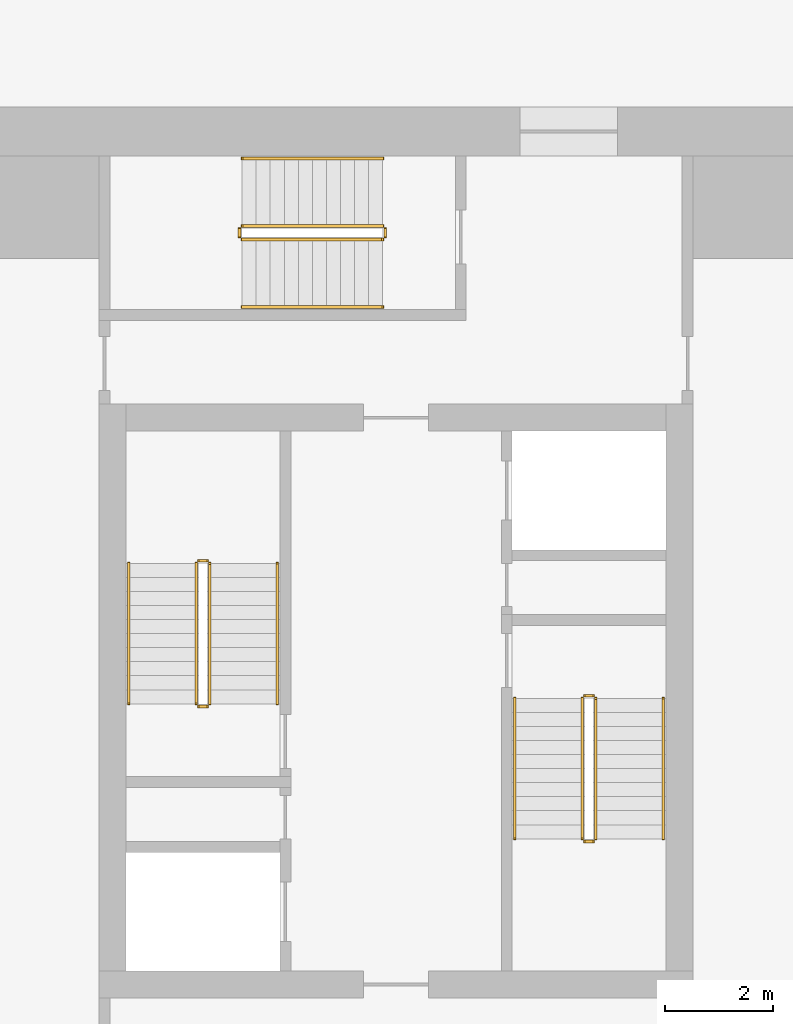
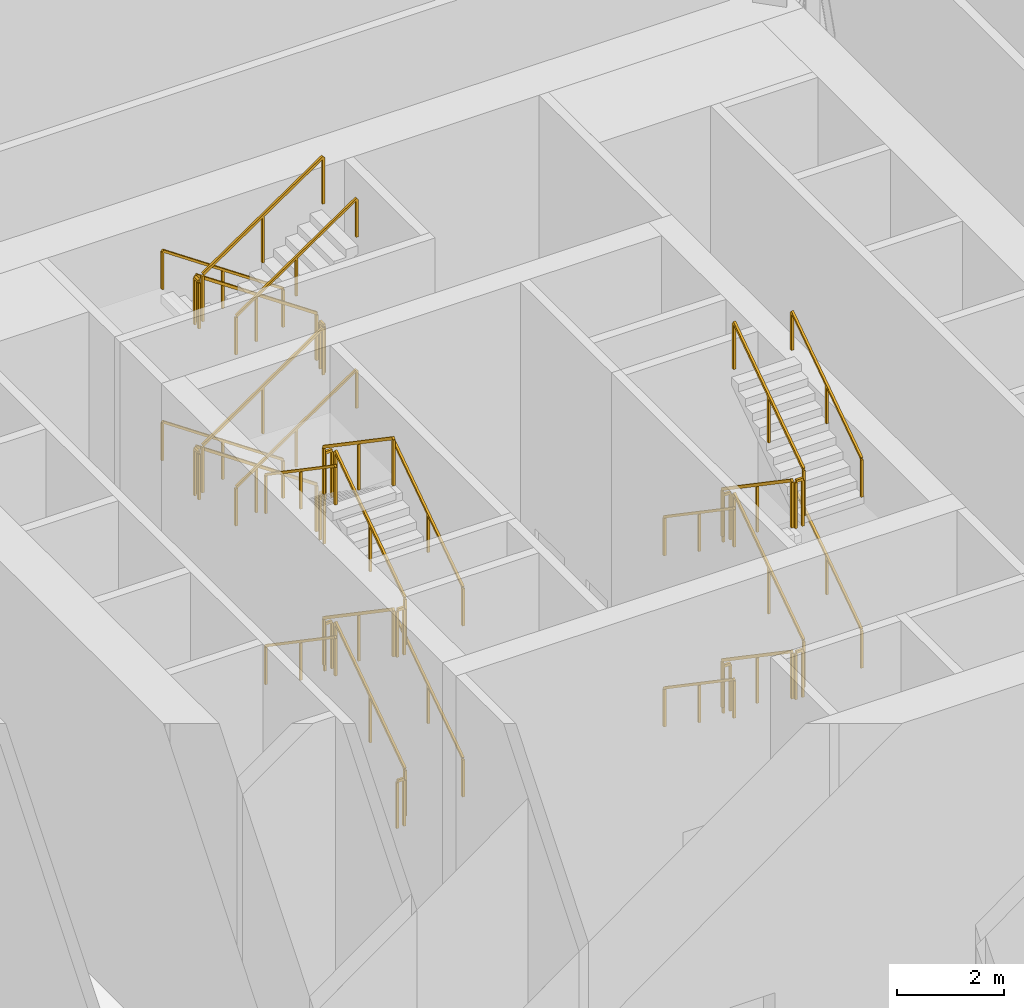
# One storey, part 20 of 21: 36 railings.
"""IFC4 building model written with IfcOpenShell, lengths in metres."""

import ifcopenshell
import ifcopenshell.guid

model = None  # the IFC model being written
_history = None  # IfcOwnerHistory: only IFC2X3 demands one
_inside = {}  # id of a spatial element -> (the spatial element, [elements in it])
_under = {}  # id of a project, library or spatial element -> (it, [spatial elements below it])
_declared = {}  # id of a project -> (the project, [libraries it declares])
_typed = {}  # id of a type object -> (the type object, [elements of that type])
_made_of = {}  # id of a material, layer set ... -> (it, [elements and type objects made of it])


def new_model(schema):
    """Start an empty IFC model of exactly this schema.

    Asked for "IFC4X3", IfcOpenShell would pick the latest addendum, in which some entities
    have other attributes; the version numbers below select the first issue.
    IFC2X3 requires an IfcOwnerHistory on every rooted entity: one is made here for all.
    """
    global model, _history
    if schema == "IFC4X3":
        model = ifcopenshell.file(schema_version=(4, 3, 0, 0))
    else:
        model = ifcopenshell.file(schema=schema)
    _inside.clear()
    _under.clear()
    _declared.clear()
    _typed.clear()
    _made_of.clear()
    _history = None
    if model.schema == "IFC2X3":
        org = make("IfcOrganization", Name="unknown")
        user = make(
            "IfcPersonAndOrganization",
            ThePerson=make("IfcPerson", FamilyName="unknown"),
            TheOrganization=org,
        )
        app = make(
            "IfcApplication",
            ApplicationDeveloper=org,
            Version="unknown",
            ApplicationFullName="unknown",
            ApplicationIdentifier="unknown",
        )
        _history = make(
            "IfcOwnerHistory",
            OwningUser=user,
            OwningApplication=app,
            ChangeAction="ADDED",
            CreationDate=0,
        )
    return model


def make(cls, **values):
    """One entity of the class cls with the attributes given. An attribute that is None is left unset."""
    return model.create_entity(
        cls, **{name: value for name, value in values.items() if value is not None}
    )


def rooted(cls, **values):
    """An entity with a GlobalId (a new one), such as an element, a storey or a relation."""
    return make(cls, GlobalId=ifcopenshell.guid.new(), OwnerHistory=_history, **values)


def si_unit(unit_type, name, prefix=None):
    """IfcSIUnit, for example si_unit("LENGTHUNIT", "METRE", prefix="MILLI")."""
    return make("IfcSIUnit", UnitType=unit_type, Prefix=prefix, Name=name)


def assignment(units):
    """IfcUnitAssignment: the units of a project."""
    return None if units is None else make("IfcUnitAssignment", Units=units)


def point(xyz):
    """IfcCartesianPoint."""
    return None if xyz is None else make("IfcCartesianPoint", Coordinates=xyz)


def direction(xyz):
    """IfcDirection."""
    return None if xyz is None else make("IfcDirection", DirectionRatios=xyz)


def frame(location, z_axis=None, x_axis=None):
    """IfcAxis2Placement3D, a coordinate frame: its origin and axes. An axis left out is left unset."""
    return make(
        "IfcAxis2Placement3D",
        Location=point(location),
        Axis=direction(z_axis),
        RefDirection=direction(x_axis),
    )


def frame_2d(location, x_axis=None):
    """IfcAxis2Placement2D, a coordinate frame in the plane: its origin and x axis."""
    return make(
        "IfcAxis2Placement2D", Location=point(location), RefDirection=direction(x_axis)
    )


def origin():
    """The frame at (0, 0, 0) with its axes left unset."""
    return frame((0.0, 0.0, 0.0))


def origin_2d():
    """The frame at (0, 0) in the plane with its x axis left unset."""
    return frame_2d((0.0, 0.0))


def place(relative_to, where):
    """IfcLocalPlacement: puts the frame where relative to a parent placement (None: the world)."""
    return make(
        "IfcLocalPlacement", PlacementRelTo=relative_to, RelativePlacement=where
    )


def context(
    kind, dimensions, precision=None, world=None, true_north=None, identifier=None
):
    """IfcGeometricRepresentationContext, for example the 3D "Model" context."""
    return make(
        "IfcGeometricRepresentationContext",
        ContextIdentifier=identifier,
        ContextType=kind,
        CoordinateSpaceDimension=dimensions,
        Precision=precision,
        WorldCoordinateSystem=world,
        TrueNorth=true_north,
    )


def subcontext(parent, identifier, kind, view, scale=None):
    """IfcGeometricRepresentationSubContext, for example "Body" below "Model"."""
    return make(
        "IfcGeometricRepresentationSubContext",
        ContextIdentifier=identifier,
        ContextType=kind,
        ParentContext=parent,
        TargetScale=scale,
        TargetView=view,
    )


def project(units=None, contexts=None):
    """IfcProject with its units and contexts."""
    return rooted(
        "IfcProject",
        Name="project",
        RepresentationContexts=contexts,
        UnitsInContext=assignment(units),
    )


def spatial(cls, under=None, at=None, **own):
    """A site, building, storey or space (cls), placed at a placement, below another one or the project."""
    s = rooted(cls, ObjectPlacement=at, **own)
    if under is not None:
        _under.setdefault(under.id(), (under, []))[1].append(s)
    return s


def profile(cls, at=None, kind="AREA", **sizes):
    """A parametric profile (cls). Its sizes go by their IFC names, for example OverallWidth=200.0."""
    return make(cls, ProfileType=kind, Position=at, **sizes)


def rectangle(**sizes):
    """IfcRectangleProfileDef."""
    return profile("IfcRectangleProfileDef", **sizes)


def extrude(swept, where, along, depth):
    """IfcExtrudedAreaSolid: the profile swept, set in the frame where, extruded along a direction by depth."""
    return make(
        "IfcExtrudedAreaSolid",
        SweptArea=swept,
        Position=where,
        ExtrudedDirection=direction(along),
        Depth=depth,
    )


def shape(context_of_items, identifier, shape_type, items):
    """IfcShapeRepresentation: the items that make up one representation, for example the "Body"."""
    return make(
        "IfcShapeRepresentation",
        ContextOfItems=context_of_items,
        RepresentationIdentifier=identifier,
        RepresentationType=shape_type,
        Items=items,
    )


def material(Name=None, Category=None):
    """IfcMaterial."""
    return make("IfcMaterial", Name=Name, Category=Category)


def made_of(thing, what):
    """Note that an element or type object is made of a material, layer set ...; save() writes the relation."""
    if what is not None:
        _made_of.setdefault(what.id(), (what, []))[1].append(thing)
    return thing


def type_object(cls, material=None, **own):
    """A type object (cls), such as IfcWallType, which elements share."""
    return made_of(rooted(cls, **own), material)


def element(
    cls,
    number,
    at=None,
    inside=None,
    cuts=None,
    type_object=None,
    material=None,
    context=None,
    identifier="Body",
    shape_type=None,
    held_by="IfcProductDefinitionShape",
    body=None,
    shapes=None,
    **own,
):
    """One element of the class cls, such as IfcWall. Its Tag is "e" and its number.

    at: its placement. inside: the storey or other place that contains it. cuts: it is an
    opening in that element (IfcRelVoidsElement). A single representation is given by context,
    identifier, shape_type and body (its items); several are given by shapes. held_by: the class
    of the entity that holds the representations. save() writes the other relations.
    """
    e = rooted(cls, Tag="e%d" % number, ObjectPlacement=at, **own)
    if body is not None:
        shapes = [shape(context, identifier, shape_type, body)]
    if shapes is not None:
        e.Representation = make(held_by, Representations=shapes)
    if inside is not None:
        _inside.setdefault(inside.id(), (inside, []))[1].append(e)
    if cuts is not None:
        rooted(
            "IfcRelVoidsElement", RelatingBuildingElement=cuts, RelatedOpeningElement=e
        )
    if type_object is not None:
        _typed.setdefault(type_object.id(), (type_object, []))[1].append(e)
    return made_of(e, material)


def aggregate(whole, parts):
    """IfcRelAggregates: a whole, such as a stair, and the parts it consists of."""
    return rooted("IfcRelAggregates", RelatingObject=whole, RelatedObjects=parts)


def save(model, path):
    """Write the relations noted so far, then the file.

    IfcRelAggregates (storeys below a building ...), IfcRelContainedInSpatialStructure (elements
    in a storey), IfcRelDefinesByType, IfcRelAssociatesMaterial and IfcRelDeclares: one each for
    every whole, place, type object, material and project.
    """
    for whole, parts in _under.values():
        aggregate(whole, parts)
    for where, things in _inside.values():
        rooted(
            "IfcRelContainedInSpatialStructure",
            RelatedElements=things,
            RelatingStructure=where,
        )
    for kind, things in _typed.values():
        rooted("IfcRelDefinesByType", RelatedObjects=things, RelatingType=kind)
    for what, things in _made_of.values():
        rooted("IfcRelAssociatesMaterial", RelatedObjects=things, RelatingMaterial=what)
    for by, libraries in _declared.values():
        rooted("IfcRelDeclares", RelatingContext=by, RelatedDefinitions=libraries)
    model.write(path)


model = new_model("IFC4")

# Units and contexts
model_context = context("Model", 3, precision=1e-05, world=origin(), true_north=direction((0.0, 1.0)))
body_context = subcontext(model_context, "Body", "Model", "MODEL_VIEW")
ifc_project = project(units=[si_unit("LENGTHUNIT", "METRE"), si_unit("AREAUNIT", "SQUARE_METRE"), si_unit("VOLUMEUNIT", "CUBIC_METRE"), si_unit("PLANEANGLEUNIT", "RADIAN"), si_unit("MASSUNIT", "GRAM", prefix="KILO")], contexts=[model_context])

# Site, building, storey
site_placement = place(None, origin())
site = spatial("IfcSite", under=ifc_project, at=site_placement, CompositionType="ELEMENT")
building_placement = place(site_placement, origin())
building = spatial("IfcBuilding", under=site, at=building_placement, Name="Khepri Terraces", CompositionType="ELEMENT")
storey_placement = place(building_placement, frame((0.0, 0.0, 126.0)))
storey = spatial("IfcBuildingStorey", under=building, at=storey_placement, Name="L30", CompositionType="ELEMENT", Elevation=126.0)

# Railings
ifc_material = material(Name="Stainless steel 316", Category="steel")
railing_type_1 = type_object("IfcRailingType", Name="RL-CORE-GUARD", PredefinedType="GUARDRAIL", material=ifc_material)
railing_1_placement = place(storey_placement, frame((-3.449951171875, -0.050048828125, 0.17724609375)))
element("IfcRailing", 1, at=railing_1_placement, inside=storey, type_object=railing_type_1, Name="L30 ST-1 stair guard 1", PredefinedType="GUARDRAIL", context=body_context, shape_type="SweptSolid", body=[
    extrude(rectangle(XDim=0.050048828125, YDim=0.06005859375, at=origin_2d()), frame((0.0, 0.0, 1.070068359375), z_axis=(0.0, 0.826240473404, 0.563317565952), x_axis=(-1.0, 0.0, 0.0)), (0.0, 0.0, 1.0), 3.14697265625),
    extrude(rectangle(XDim=0.050048828125, YDim=0.050048828125, at=origin_2d()), origin(), (0.0, 0.0, 1.0), 1.0400390625),
    extrude(rectangle(XDim=0.050048828125, YDim=0.050048828125, at=origin_2d()), frame((0.0, 1.300048828125, 0.88623046875)), (0.0, 0.0, 1.0), 1.0400390625),
    extrude(rectangle(XDim=0.050048828125, YDim=0.050048828125, at=origin_2d()), frame((0.0, 2.60009765625, 1.772705078125)), (0.0, 0.0, 1.0), 1.0400390625),
])
railing_2_placement = place(storey_placement, frame((-3.5, 2.60009765625, 1.949951171875)))
element("IfcRailing", 2, at=railing_2_placement, inside=storey, type_object=railing_type_1, Name="L30 ST-1 stair guard 2", PredefinedType="GUARDRAIL", context=body_context, shape_type="SweptSolid", body=[
    extrude(rectangle(XDim=0.050048828125, YDim=0.06005859375, at=origin_2d()), frame((0.0, 0.0, 1.070068359375), z_axis=(-1.0, 0.0, 0.0), x_axis=(0.0, -1.0, 0.0)), (0.0, 0.0, 1.0), 0.14990234375),
    extrude(rectangle(XDim=0.050048828125, YDim=0.050048828125, at=origin_2d()), origin(), (0.0, 0.0, 1.0), 1.0400390625),
    extrude(rectangle(XDim=0.050048828125, YDim=0.050048828125, at=origin_2d()), frame((-0.14990234375, 0.0, 0.0)), (0.0, 0.0, 1.0), 1.0400390625),
])
railing_3_placement = place(storey_placement, frame((-3.699951171875, 2.550048828125, 2.127197265625)))
element("IfcRailing", 3, at=railing_3_placement, inside=storey, type_object=railing_type_1, Name="L30 ST-1 stair guard 3", PredefinedType="GUARDRAIL", context=body_context, shape_type="SweptSolid", body=[
    extrude(rectangle(XDim=0.050048828125, YDim=0.06005859375, at=origin_2d()), frame((0.0, 0.0, 1.070068359375), z_axis=(0.0, -0.826240473404, 0.563317565952), x_axis=(1.0, 0.0, 0.0)), (0.0, 0.0, 1.0), 3.14697265625),
    extrude(rectangle(XDim=0.050048828125, YDim=0.050048828125, at=origin_2d()), origin(), (0.0, 0.0, 1.0), 1.0400390625),
    extrude(rectangle(XDim=0.050048828125, YDim=0.050048828125, at=origin_2d()), frame((0.0, -1.300048828125, 0.88623046875)), (0.0, 0.0, 1.0), 1.0400390625),
    extrude(rectangle(XDim=0.050048828125, YDim=0.050048828125, at=origin_2d()), frame((0.0, -2.60009765625, 1.772705078125)), (0.0, 0.0, 1.0), 1.0400390625),
])
railing_4_placement = place(storey_placement, frame((-3.5, -0.10009765625, 3.89990234375)))
element("IfcRailing", 4, at=railing_4_placement, inside=storey, type_object=railing_type_1, Name="L30 ST-1 stair guard 4", PredefinedType="GUARDRAIL", context=body_context, shape_type="SweptSolid", body=[
    extrude(rectangle(XDim=0.050048828125, YDim=0.06005859375, at=origin_2d()), frame((0.0, 0.0, 1.070068359375), z_axis=(-1.0, 0.0, 0.0), x_axis=(0.0, -1.0, 0.0)), (0.0, 0.0, 1.0), 0.14990234375),
    extrude(rectangle(XDim=0.050048828125, YDim=0.050048828125, at=origin_2d()), origin(), (0.0, 0.0, 1.0), 1.0400390625),
    extrude(rectangle(XDim=0.050048828125, YDim=0.050048828125, at=origin_2d()), frame((-0.14990234375, 0.0, 0.0)), (0.0, 0.0, 1.0), 1.0400390625),
])
railing_5_placement = place(storey_placement, frame((-3.449951171875, -0.050048828125, 4.077392578125)))
element("IfcRailing", 5, at=railing_5_placement, inside=storey, type_object=railing_type_1, Name="L30 ST-1 stair guard 5", PredefinedType="GUARDRAIL", context=body_context, shape_type="SweptSolid", body=[
    extrude(rectangle(XDim=0.050048828125, YDim=0.06005859375, at=origin_2d()), frame((0.0, 0.0, 1.070068359375), z_axis=(0.0, 0.826240473404, 0.563317565952), x_axis=(-1.0, 0.0, 0.0)), (0.0, 0.0, 1.0), 3.14697265625),
    extrude(rectangle(XDim=0.050048828125, YDim=0.050048828125, at=origin_2d()), origin(), (0.0, 0.0, 1.0), 1.0400390625),
    extrude(rectangle(XDim=0.050048828125, YDim=0.050048828125, at=origin_2d()), frame((0.0, 1.300048828125, 0.88623046875)), (0.0, 0.0, 1.0), 1.0400390625),
    extrude(rectangle(XDim=0.050048828125, YDim=0.050048828125, at=origin_2d()), frame((0.0, 2.60009765625, 1.772705078125)), (0.0, 0.0, 1.0), 1.0400390625),
])
railing_6_placement = place(storey_placement, frame((-3.5, 2.60009765625, 5.85009765625)))
element("IfcRailing", 6, at=railing_6_placement, inside=storey, type_object=railing_type_1, Name="L30 ST-1 stair guard 6", PredefinedType="GUARDRAIL", context=body_context, shape_type="SweptSolid", body=[
    extrude(rectangle(XDim=0.050048828125, YDim=0.06005859375, at=origin_2d()), frame((0.0, 0.0, 1.070068359375), z_axis=(-1.0, 0.0, 0.0), x_axis=(0.0, -1.0, 0.0)), (0.0, 0.0, 1.0), 0.14990234375),
    extrude(rectangle(XDim=0.050048828125, YDim=0.050048828125, at=origin_2d()), origin(), (0.0, 0.0, 1.0), 1.0400390625),
    extrude(rectangle(XDim=0.050048828125, YDim=0.050048828125, at=origin_2d()), frame((-0.14990234375, 0.0, 0.0)), (0.0, 0.0, 1.0), 1.0400390625),
])
railing_7_placement = place(storey_placement, frame((-3.699951171875, 2.550048828125, 6.02734375)))
element("IfcRailing", 7, at=railing_7_placement, inside=storey, type_object=railing_type_1, Name="L30 ST-1 stair guard 7", PredefinedType="GUARDRAIL", context=body_context, shape_type="SweptSolid", body=[
    extrude(rectangle(XDim=0.050048828125, YDim=0.06005859375, at=origin_2d()), frame((0.0, 0.0, 1.070068359375), z_axis=(0.0, -0.826240473404, 0.563317565952), x_axis=(1.0, 0.0, 0.0)), (0.0, 0.0, 1.0), 3.14697265625),
    extrude(rectangle(XDim=0.050048828125, YDim=0.050048828125, at=origin_2d()), origin(), (0.0, 0.0, 1.0), 1.0400390625),
    extrude(rectangle(XDim=0.050048828125, YDim=0.050048828125, at=origin_2d()), frame((0.0, -1.300048828125, 0.88623046875)), (0.0, 0.0, 1.0), 1.0400390625),
    extrude(rectangle(XDim=0.050048828125, YDim=0.050048828125, at=origin_2d()), frame((0.0, -2.60009765625, 1.772705078125)), (0.0, 0.0, 1.0), 1.0400390625),
])
railing_8_placement = place(storey_placement, frame((-3.5, -0.10009765625, 0.0)))
element("IfcRailing", 8, at=railing_8_placement, inside=storey, type_object=railing_type_1, Name="L30 ST-1 stair guard 8", PredefinedType="GUARDRAIL", context=body_context, shape_type="SweptSolid", body=[
    extrude(rectangle(XDim=0.050048828125, YDim=0.06005859375, at=origin_2d()), frame((0.0, 0.0, 1.070068359375), z_axis=(-1.0, 0.0, 0.0), x_axis=(0.0, -1.0, 0.0)), (0.0, 0.0, 1.0), 0.14990234375),
    extrude(rectangle(XDim=0.050048828125, YDim=0.050048828125, at=origin_2d()), origin(), (0.0, 0.0, 1.0), 1.0400390625),
    extrude(rectangle(XDim=0.050048828125, YDim=0.050048828125, at=origin_2d()), frame((-0.14990234375, 0.0, 0.0)), (0.0, 0.0, 1.0), 1.0400390625),
])
railing_9_placement = place(storey_placement, frame((3.449951171875, 0.050048828125, 0.17724609375)))
element("IfcRailing", 9, at=railing_9_placement, inside=storey, type_object=railing_type_1, Name="L30 ST-2 stair guard 1", PredefinedType="GUARDRAIL", context=body_context, shape_type="SweptSolid", body=[
    extrude(rectangle(XDim=0.050048828125, YDim=0.06005859375, at=origin_2d()), frame((0.0, 0.0, 1.070068359375), z_axis=(0.0, -0.826240473404, 0.563317565952), x_axis=(1.0, 0.0, 0.0)), (0.0, 0.0, 1.0), 3.14697265625),
    extrude(rectangle(XDim=0.050048828125, YDim=0.050048828125, at=origin_2d()), origin(), (0.0, 0.0, 1.0), 1.0400390625),
    extrude(rectangle(XDim=0.050048828125, YDim=0.050048828125, at=origin_2d()), frame((0.0, -1.300048828125, 0.88623046875)), (0.0, 0.0, 1.0), 1.0400390625),
    extrude(rectangle(XDim=0.050048828125, YDim=0.050048828125, at=origin_2d()), frame((0.0, -2.60009765625, 1.772705078125)), (0.0, 0.0, 1.0), 1.0400390625),
])
railing_10_placement = place(storey_placement, frame((3.5, -2.60009765625, 1.949951171875)))
element("IfcRailing", 10, at=railing_10_placement, inside=storey, type_object=railing_type_1, Name="L30 ST-2 stair guard 2", PredefinedType="GUARDRAIL", context=body_context, shape_type="SweptSolid", body=[
    extrude(rectangle(XDim=0.050048828125, YDim=0.06005859375, at=origin_2d()), frame((0.0, 0.0, 1.070068359375), z_axis=(1.0, 0.0, 0.0), x_axis=(0.0, 1.0, 0.0)), (0.0, 0.0, 1.0), 0.14990234375),
    extrude(rectangle(XDim=0.050048828125, YDim=0.050048828125, at=origin_2d()), origin(), (0.0, 0.0, 1.0), 1.0400390625),
    extrude(rectangle(XDim=0.050048828125, YDim=0.050048828125, at=origin_2d()), frame((0.14990234375, 0.0, 0.0)), (0.0, 0.0, 1.0), 1.0400390625),
])
railing_11_placement = place(storey_placement, frame((3.699951171875, -2.550048828125, 2.127197265625)))
element("IfcRailing", 11, at=railing_11_placement, inside=storey, type_object=railing_type_1, Name="L30 ST-2 stair guard 3", PredefinedType="GUARDRAIL", context=body_context, shape_type="SweptSolid", body=[
    extrude(rectangle(XDim=0.050048828125, YDim=0.06005859375, at=origin_2d()), frame((0.0, 0.0, 1.070068359375), z_axis=(0.0, 0.826240473404, 0.563317565952), x_axis=(-1.0, 0.0, 0.0)), (0.0, 0.0, 1.0), 3.14697265625),
    extrude(rectangle(XDim=0.050048828125, YDim=0.050048828125, at=origin_2d()), origin(), (0.0, 0.0, 1.0), 1.0400390625),
    extrude(rectangle(XDim=0.050048828125, YDim=0.050048828125, at=origin_2d()), frame((0.0, 1.300048828125, 0.88623046875)), (0.0, 0.0, 1.0), 1.0400390625),
    extrude(rectangle(XDim=0.050048828125, YDim=0.050048828125, at=origin_2d()), frame((0.0, 2.60009765625, 1.772705078125)), (0.0, 0.0, 1.0), 1.0400390625),
])
railing_12_placement = place(storey_placement, frame((3.5, 0.10009765625, 3.89990234375)))
element("IfcRailing", 12, at=railing_12_placement, inside=storey, type_object=railing_type_1, Name="L30 ST-2 stair guard 4", PredefinedType="GUARDRAIL", context=body_context, shape_type="SweptSolid", body=[
    extrude(rectangle(XDim=0.050048828125, YDim=0.06005859375, at=origin_2d()), frame((0.0, 0.0, 1.070068359375), z_axis=(1.0, 0.0, 0.0), x_axis=(0.0, 1.0, 0.0)), (0.0, 0.0, 1.0), 0.14990234375),
    extrude(rectangle(XDim=0.050048828125, YDim=0.050048828125, at=origin_2d()), origin(), (0.0, 0.0, 1.0), 1.0400390625),
    extrude(rectangle(XDim=0.050048828125, YDim=0.050048828125, at=origin_2d()), frame((0.14990234375, 0.0, 0.0)), (0.0, 0.0, 1.0), 1.0400390625),
])
railing_13_placement = place(storey_placement, frame((3.449951171875, 0.050048828125, 4.077392578125)))
element("IfcRailing", 13, at=railing_13_placement, inside=storey, type_object=railing_type_1, Name="L30 ST-2 stair guard 5", PredefinedType="GUARDRAIL", context=body_context, shape_type="SweptSolid", body=[
    extrude(rectangle(XDim=0.050048828125, YDim=0.06005859375, at=origin_2d()), frame((0.0, 0.0, 1.070068359375), z_axis=(0.0, -0.826240473404, 0.563317565952), x_axis=(1.0, 0.0, 0.0)), (0.0, 0.0, 1.0), 3.14697265625),
    extrude(rectangle(XDim=0.050048828125, YDim=0.050048828125, at=origin_2d()), origin(), (0.0, 0.0, 1.0), 1.0400390625),
    extrude(rectangle(XDim=0.050048828125, YDim=0.050048828125, at=origin_2d()), frame((0.0, -1.300048828125, 0.88623046875)), (0.0, 0.0, 1.0), 1.0400390625),
    extrude(rectangle(XDim=0.050048828125, YDim=0.050048828125, at=origin_2d()), frame((0.0, -2.60009765625, 1.772705078125)), (0.0, 0.0, 1.0), 1.0400390625),
])
railing_14_placement = place(storey_placement, frame((3.5, -2.60009765625, 5.85009765625)))
element("IfcRailing", 14, at=railing_14_placement, inside=storey, type_object=railing_type_1, Name="L30 ST-2 stair guard 6", PredefinedType="GUARDRAIL", context=body_context, shape_type="SweptSolid", body=[
    extrude(rectangle(XDim=0.050048828125, YDim=0.06005859375, at=origin_2d()), frame((0.0, 0.0, 1.070068359375), z_axis=(1.0, 0.0, 0.0), x_axis=(0.0, 1.0, 0.0)), (0.0, 0.0, 1.0), 0.14990234375),
    extrude(rectangle(XDim=0.050048828125, YDim=0.050048828125, at=origin_2d()), origin(), (0.0, 0.0, 1.0), 1.0400390625),
    extrude(rectangle(XDim=0.050048828125, YDim=0.050048828125, at=origin_2d()), frame((0.14990234375, 0.0, 0.0)), (0.0, 0.0, 1.0), 1.0400390625),
])
railing_15_placement = place(storey_placement, frame((3.699951171875, -2.550048828125, 6.02734375)))
element("IfcRailing", 15, at=railing_15_placement, inside=storey, type_object=railing_type_1, Name="L30 ST-2 stair guard 7", PredefinedType="GUARDRAIL", context=body_context, shape_type="SweptSolid", body=[
    extrude(rectangle(XDim=0.050048828125, YDim=0.06005859375, at=origin_2d()), frame((0.0, 0.0, 1.070068359375), z_axis=(0.0, 0.826240473404, 0.563317565952), x_axis=(-1.0, 0.0, 0.0)), (0.0, 0.0, 1.0), 3.14697265625),
    extrude(rectangle(XDim=0.050048828125, YDim=0.050048828125, at=origin_2d()), origin(), (0.0, 0.0, 1.0), 1.0400390625),
    extrude(rectangle(XDim=0.050048828125, YDim=0.050048828125, at=origin_2d()), frame((0.0, 1.300048828125, 0.88623046875)), (0.0, 0.0, 1.0), 1.0400390625),
    extrude(rectangle(XDim=0.050048828125, YDim=0.050048828125, at=origin_2d()), frame((0.0, 2.60009765625, 1.772705078125)), (0.0, 0.0, 1.0), 1.0400390625),
])
railing_16_placement = place(storey_placement, frame((3.5, 0.10009765625, 0.0)))
element("IfcRailing", 16, at=railing_16_placement, inside=storey, type_object=railing_type_1, Name="L30 ST-2 stair guard 8", PredefinedType="GUARDRAIL", context=body_context, shape_type="SweptSolid", body=[
    extrude(rectangle(XDim=0.050048828125, YDim=0.06005859375, at=origin_2d()), frame((0.0, 0.0, 1.070068359375), z_axis=(1.0, 0.0, 0.0), x_axis=(0.0, 1.0, 0.0)), (0.0, 0.0, 1.0), 0.14990234375),
    extrude(rectangle(XDim=0.050048828125, YDim=0.050048828125, at=origin_2d()), origin(), (0.0, 0.0, 1.0), 1.0400390625),
    extrude(rectangle(XDim=0.050048828125, YDim=0.050048828125, at=origin_2d()), frame((0.14990234375, 0.0, 0.0)), (0.0, 0.0, 1.0), 1.0400390625),
])
railing_17_placement = place(storey_placement, frame((-0.25, 8.800048828125, 0.17724609375)))
element("IfcRailing", 17, at=railing_17_placement, inside=storey, type_object=railing_type_1, Name="L30 ST-3 stair guard 1", PredefinedType="GUARDRAIL", context=body_context, shape_type="SweptSolid", body=[
    extrude(rectangle(XDim=0.050048828125, YDim=0.06005859375, at=origin_2d()), frame((0.0, 0.0, 1.070068359375), z_axis=(-0.826240473404, 0.0, 0.563317565952), x_axis=(0.0, -1.0, 0.0)), (0.0, 0.0, 1.0), 3.14697265625),
    extrude(rectangle(XDim=0.050048828125, YDim=0.050048828125, at=origin_2d()), origin(), (0.0, 0.0, 1.0), 1.0400390625),
    extrude(rectangle(XDim=0.050048828125, YDim=0.050048828125, at=origin_2d()), frame((-1.300048828125, 0.0, 0.88623046875)), (0.0, 0.0, 1.0), 1.0400390625),
    extrude(rectangle(XDim=0.050048828125, YDim=0.050048828125, at=origin_2d()), frame((-2.60009765625, 0.0, 1.772705078125)), (0.0, 0.0, 1.0), 1.0400390625),
])
railing_18_placement = place(storey_placement, frame((-2.89990234375, 8.75, 1.949951171875)))
element("IfcRailing", 18, at=railing_18_placement, inside=storey, type_object=railing_type_1, Name="L30 ST-3 stair guard 2", PredefinedType="GUARDRAIL", context=body_context, shape_type="SweptSolid", body=[
    extrude(rectangle(XDim=0.050048828125, YDim=0.06005859375, at=origin_2d()), frame((0.0, 0.0, 1.070068359375), z_axis=(0.0, -1.0, 0.0), x_axis=(1.0, 0.0, 0.0)), (0.0, 0.0, 1.0), 0.14990234375),
    extrude(rectangle(XDim=0.050048828125, YDim=0.050048828125, at=origin_2d()), origin(), (0.0, 0.0, 1.0), 1.0400390625),
    extrude(rectangle(XDim=0.050048828125, YDim=0.050048828125, at=origin_2d()), frame((0.0, -0.14990234375, 0.0)), (0.0, 0.0, 1.0), 1.0400390625),
])
railing_19_placement = place(storey_placement, frame((-2.85009765625, 8.550048828125, 2.127197265625)))
element("IfcRailing", 19, at=railing_19_placement, inside=storey, type_object=railing_type_1, Name="L30 ST-3 stair guard 3", PredefinedType="GUARDRAIL", context=body_context, shape_type="SweptSolid", body=[
    extrude(rectangle(XDim=0.050048828125, YDim=0.06005859375, at=origin_2d()), frame((0.0, 0.0, 1.070068359375), z_axis=(0.826240473404, 0.0, 0.563317565952), x_axis=(0.0, 1.0, 0.0)), (0.0, 0.0, 1.0), 3.14697265625),
    extrude(rectangle(XDim=0.050048828125, YDim=0.050048828125, at=origin_2d()), origin(), (0.0, 0.0, 1.0), 1.0400390625),
    extrude(rectangle(XDim=0.050048828125, YDim=0.050048828125, at=origin_2d()), frame((1.300048828125, 0.0, 0.88623046875)), (0.0, 0.0, 1.0), 1.0400390625),
    extrude(rectangle(XDim=0.050048828125, YDim=0.050048828125, at=origin_2d()), frame((2.60009765625, 0.0, 1.772705078125)), (0.0, 0.0, 1.0), 1.0400390625),
])
railing_20_placement = place(storey_placement, frame((-0.199951171875, 8.75, 3.89990234375)))
element("IfcRailing", 20, at=railing_20_placement, inside=storey, type_object=railing_type_1, Name="L30 ST-3 stair guard 4", PredefinedType="GUARDRAIL", context=body_context, shape_type="SweptSolid", body=[
    extrude(rectangle(XDim=0.050048828125, YDim=0.06005859375, at=origin_2d()), frame((0.0, 0.0, 1.070068359375), z_axis=(0.0, -1.0, 0.0), x_axis=(1.0, 0.0, 0.0)), (0.0, 0.0, 1.0), 0.14990234375),
    extrude(rectangle(XDim=0.050048828125, YDim=0.050048828125, at=origin_2d()), origin(), (0.0, 0.0, 1.0), 1.0400390625),
    extrude(rectangle(XDim=0.050048828125, YDim=0.050048828125, at=origin_2d()), frame((0.0, -0.14990234375, 0.0)), (0.0, 0.0, 1.0), 1.0400390625),
])
railing_21_placement = place(storey_placement, frame((-0.25, 8.800048828125, 4.077392578125)))
element("IfcRailing", 21, at=railing_21_placement, inside=storey, type_object=railing_type_1, Name="L30 ST-3 stair guard 5", PredefinedType="GUARDRAIL", context=body_context, shape_type="SweptSolid", body=[
    extrude(rectangle(XDim=0.050048828125, YDim=0.06005859375, at=origin_2d()), frame((0.0, 0.0, 1.070068359375), z_axis=(-0.826240473404, 0.0, 0.563317565952), x_axis=(0.0, -1.0, 0.0)), (0.0, 0.0, 1.0), 3.14697265625),
    extrude(rectangle(XDim=0.050048828125, YDim=0.050048828125, at=origin_2d()), origin(), (0.0, 0.0, 1.0), 1.0400390625),
    extrude(rectangle(XDim=0.050048828125, YDim=0.050048828125, at=origin_2d()), frame((-1.300048828125, 0.0, 0.88623046875)), (0.0, 0.0, 1.0), 1.0400390625),
    extrude(rectangle(XDim=0.050048828125, YDim=0.050048828125, at=origin_2d()), frame((-2.60009765625, 0.0, 1.772705078125)), (0.0, 0.0, 1.0), 1.0400390625),
])
railing_22_placement = place(storey_placement, frame((-2.89990234375, 8.75, 5.85009765625)))
element("IfcRailing", 22, at=railing_22_placement, inside=storey, type_object=railing_type_1, Name="L30 ST-3 stair guard 6", PredefinedType="GUARDRAIL", context=body_context, shape_type="SweptSolid", body=[
    extrude(rectangle(XDim=0.050048828125, YDim=0.06005859375, at=origin_2d()), frame((0.0, 0.0, 1.070068359375), z_axis=(0.0, -1.0, 0.0), x_axis=(1.0, 0.0, 0.0)), (0.0, 0.0, 1.0), 0.14990234375),
    extrude(rectangle(XDim=0.050048828125, YDim=0.050048828125, at=origin_2d()), origin(), (0.0, 0.0, 1.0), 1.0400390625),
    extrude(rectangle(XDim=0.050048828125, YDim=0.050048828125, at=origin_2d()), frame((0.0, -0.14990234375, 0.0)), (0.0, 0.0, 1.0), 1.0400390625),
])
railing_23_placement = place(storey_placement, frame((-2.85009765625, 8.550048828125, 6.02734375)))
element("IfcRailing", 23, at=railing_23_placement, inside=storey, type_object=railing_type_1, Name="L30 ST-3 stair guard 7", PredefinedType="GUARDRAIL", context=body_context, shape_type="SweptSolid", body=[
    extrude(rectangle(XDim=0.050048828125, YDim=0.06005859375, at=origin_2d()), frame((0.0, 0.0, 1.070068359375), z_axis=(0.826240473404, 0.0, 0.563317565952), x_axis=(0.0, 1.0, 0.0)), (0.0, 0.0, 1.0), 3.14697265625),
    extrude(rectangle(XDim=0.050048828125, YDim=0.050048828125, at=origin_2d()), origin(), (0.0, 0.0, 1.0), 1.0400390625),
    extrude(rectangle(XDim=0.050048828125, YDim=0.050048828125, at=origin_2d()), frame((1.300048828125, 0.0, 0.88623046875)), (0.0, 0.0, 1.0), 1.0400390625),
    extrude(rectangle(XDim=0.050048828125, YDim=0.050048828125, at=origin_2d()), frame((2.60009765625, 0.0, 1.772705078125)), (0.0, 0.0, 1.0), 1.0400390625),
])
railing_24_placement = place(storey_placement, frame((-0.199951171875, 8.75, 0.0)))
element("IfcRailing", 24, at=railing_24_placement, inside=storey, type_object=railing_type_1, Name="L30 ST-3 stair guard 8", PredefinedType="GUARDRAIL", context=body_context, shape_type="SweptSolid", body=[
    extrude(rectangle(XDim=0.050048828125, YDim=0.06005859375, at=origin_2d()), frame((0.0, 0.0, 1.070068359375), z_axis=(0.0, -1.0, 0.0), x_axis=(1.0, 0.0, 0.0)), (0.0, 0.0, 1.0), 0.14990234375),
    extrude(rectangle(XDim=0.050048828125, YDim=0.050048828125, at=origin_2d()), origin(), (0.0, 0.0, 1.0), 1.0400390625),
    extrude(rectangle(XDim=0.050048828125, YDim=0.050048828125, at=origin_2d()), frame((0.0, -0.14990234375, 0.0)), (0.0, 0.0, 1.0), 1.0400390625),
])
railing_type_2 = type_object("IfcRailingType", Name="RL-CORE-HANDRAIL", PredefinedType="HANDRAIL", material=ifc_material)
railing_25_placement = place(storey_placement, frame((-2.199951171875, -0.050048828125, 0.17724609375)))
element("IfcRailing", 25, at=railing_25_placement, inside=storey, type_object=railing_type_2, Name="L30 ST-1 stair handrail 1", PredefinedType="HANDRAIL", context=body_context, shape_type="SweptSolid", body=[
    extrude(rectangle(XDim=0.050048828125, YDim=0.050048828125, at=origin_2d()), frame((0.0, 0.0, 0.875), z_axis=(0.0, 0.826240473404, 0.563317565952), x_axis=(-1.0, 0.0, 0.0)), (0.0, 0.0, 1.0), 3.14697265625),
    extrude(rectangle(XDim=0.050048828125, YDim=0.050048828125, at=origin_2d()), origin(), (0.0, 0.0, 1.0), 0.849853515625),
    extrude(rectangle(XDim=0.050048828125, YDim=0.050048828125, at=origin_2d()), frame((0.0, 1.300048828125, 0.88623046875)), (0.0, 0.0, 1.0), 0.849853515625),
    extrude(rectangle(XDim=0.050048828125, YDim=0.050048828125, at=origin_2d()), frame((0.0, 2.60009765625, 1.772705078125)), (0.0, 0.0, 1.0), 0.849853515625),
])
railing_26_placement = place(storey_placement, frame((-4.949951171875, 2.550048828125, 2.127197265625)))
element("IfcRailing", 26, at=railing_26_placement, inside=storey, type_object=railing_type_2, Name="L30 ST-1 stair handrail 2", PredefinedType="HANDRAIL", context=body_context, shape_type="SweptSolid", body=[
    extrude(rectangle(XDim=0.050048828125, YDim=0.050048828125, at=origin_2d()), frame((0.0, 0.0, 0.875), z_axis=(0.0, -0.826240473404, 0.563317565952), x_axis=(1.0, 0.0, 0.0)), (0.0, 0.0, 1.0), 3.14697265625),
    extrude(rectangle(XDim=0.050048828125, YDim=0.050048828125, at=origin_2d()), origin(), (0.0, 0.0, 1.0), 0.849853515625),
    extrude(rectangle(XDim=0.050048828125, YDim=0.050048828125, at=origin_2d()), frame((0.0, -1.300048828125, 0.88623046875)), (0.0, 0.0, 1.0), 0.849853515625),
    extrude(rectangle(XDim=0.050048828125, YDim=0.050048828125, at=origin_2d()), frame((0.0, -2.60009765625, 1.772705078125)), (0.0, 0.0, 1.0), 0.849853515625),
])
railing_27_placement = place(storey_placement, frame((-2.199951171875, -0.050048828125, 4.077392578125)))
element("IfcRailing", 27, at=railing_27_placement, inside=storey, type_object=railing_type_2, Name="L30 ST-1 stair handrail 3", PredefinedType="HANDRAIL", context=body_context, shape_type="SweptSolid", body=[
    extrude(rectangle(XDim=0.050048828125, YDim=0.050048828125, at=origin_2d()), frame((0.0, 0.0, 0.875), z_axis=(0.0, 0.826240473404, 0.563317565952), x_axis=(-1.0, 0.0, 0.0)), (0.0, 0.0, 1.0), 3.14697265625),
    extrude(rectangle(XDim=0.050048828125, YDim=0.050048828125, at=origin_2d()), origin(), (0.0, 0.0, 1.0), 0.849853515625),
    extrude(rectangle(XDim=0.050048828125, YDim=0.050048828125, at=origin_2d()), frame((0.0, 1.300048828125, 0.88623046875)), (0.0, 0.0, 1.0), 0.849853515625),
    extrude(rectangle(XDim=0.050048828125, YDim=0.050048828125, at=origin_2d()), frame((0.0, 2.60009765625, 1.772705078125)), (0.0, 0.0, 1.0), 0.849853515625),
])
for number, where, name in (
    (28, (-4.949951171875, 2.550048828125, 6.02734375), "L30 ST-1 stair handrail 4"),
    (29, (2.199951171875, 0.050048828125, 0.17724609375), "L30 ST-2 stair handrail 1"),
):
    element("IfcRailing", number, at=place(storey_placement, frame(where)), inside=storey, type_object=railing_type_2, Name=name, PredefinedType="HANDRAIL", context=body_context, shape_type="SweptSolid", body=[
        extrude(rectangle(XDim=0.050048828125, YDim=0.050048828125, at=origin_2d()), frame((0.0, 0.0, 0.875), z_axis=(0.0, -0.826240473404, 0.563317565952), x_axis=(1.0, 0.0, 0.0)), (0.0, 0.0, 1.0), 3.14697265625),
        extrude(rectangle(XDim=0.050048828125, YDim=0.050048828125, at=origin_2d()), origin(), (0.0, 0.0, 1.0), 0.849853515625),
        extrude(rectangle(XDim=0.050048828125, YDim=0.050048828125, at=origin_2d()), frame((0.0, -1.300048828125, 0.88623046875)), (0.0, 0.0, 1.0), 0.849853515625),
        extrude(rectangle(XDim=0.050048828125, YDim=0.050048828125, at=origin_2d()), frame((0.0, -2.60009765625, 1.772705078125)), (0.0, 0.0, 1.0), 0.849853515625),
    ])
railing_28_placement = place(storey_placement, frame((4.949951171875, -2.550048828125, 2.127197265625)))
element("IfcRailing", 30, at=railing_28_placement, inside=storey, type_object=railing_type_2, Name="L30 ST-2 stair handrail 2", PredefinedType="HANDRAIL", context=body_context, shape_type="SweptSolid", body=[
    extrude(rectangle(XDim=0.050048828125, YDim=0.050048828125, at=origin_2d()), frame((0.0, 0.0, 0.875), z_axis=(0.0, 0.826240473404, 0.563317565952), x_axis=(-1.0, 0.0, 0.0)), (0.0, 0.0, 1.0), 3.14697265625),
    extrude(rectangle(XDim=0.050048828125, YDim=0.050048828125, at=origin_2d()), origin(), (0.0, 0.0, 1.0), 0.849853515625),
    extrude(rectangle(XDim=0.050048828125, YDim=0.050048828125, at=origin_2d()), frame((0.0, 1.300048828125, 0.88623046875)), (0.0, 0.0, 1.0), 0.849853515625),
    extrude(rectangle(XDim=0.050048828125, YDim=0.050048828125, at=origin_2d()), frame((0.0, 2.60009765625, 1.772705078125)), (0.0, 0.0, 1.0), 0.849853515625),
])
railing_29_placement = place(storey_placement, frame((2.199951171875, 0.050048828125, 4.077392578125)))
element("IfcRailing", 31, at=railing_29_placement, inside=storey, type_object=railing_type_2, Name="L30 ST-2 stair handrail 3", PredefinedType="HANDRAIL", context=body_context, shape_type="SweptSolid", body=[
    extrude(rectangle(XDim=0.050048828125, YDim=0.050048828125, at=origin_2d()), frame((0.0, 0.0, 0.875), z_axis=(0.0, -0.826240473404, 0.563317565952), x_axis=(1.0, 0.0, 0.0)), (0.0, 0.0, 1.0), 3.14697265625),
    extrude(rectangle(XDim=0.050048828125, YDim=0.050048828125, at=origin_2d()), origin(), (0.0, 0.0, 1.0), 0.849853515625),
    extrude(rectangle(XDim=0.050048828125, YDim=0.050048828125, at=origin_2d()), frame((0.0, -1.300048828125, 0.88623046875)), (0.0, 0.0, 1.0), 0.849853515625),
    extrude(rectangle(XDim=0.050048828125, YDim=0.050048828125, at=origin_2d()), frame((0.0, -2.60009765625, 1.772705078125)), (0.0, 0.0, 1.0), 0.849853515625),
])
railing_30_placement = place(storey_placement, frame((4.949951171875, -2.550048828125, 6.02734375)))
element("IfcRailing", 32, at=railing_30_placement, inside=storey, type_object=railing_type_2, Name="L30 ST-2 stair handrail 4", PredefinedType="HANDRAIL", context=body_context, shape_type="SweptSolid", body=[
    extrude(rectangle(XDim=0.050048828125, YDim=0.050048828125, at=origin_2d()), frame((0.0, 0.0, 0.875), z_axis=(0.0, 0.826240473404, 0.563317565952), x_axis=(-1.0, 0.0, 0.0)), (0.0, 0.0, 1.0), 3.14697265625),
    extrude(rectangle(XDim=0.050048828125, YDim=0.050048828125, at=origin_2d()), origin(), (0.0, 0.0, 1.0), 0.849853515625),
    extrude(rectangle(XDim=0.050048828125, YDim=0.050048828125, at=origin_2d()), frame((0.0, 1.300048828125, 0.88623046875)), (0.0, 0.0, 1.0), 0.849853515625),
    extrude(rectangle(XDim=0.050048828125, YDim=0.050048828125, at=origin_2d()), frame((0.0, 2.60009765625, 1.772705078125)), (0.0, 0.0, 1.0), 0.849853515625),
])
railing_31_placement = place(storey_placement, frame((-0.25, 10.050048828125, 0.17724609375)))
element("IfcRailing", 33, at=railing_31_placement, inside=storey, type_object=railing_type_2, Name="L30 ST-3 stair handrail 1", PredefinedType="HANDRAIL", context=body_context, shape_type="SweptSolid", body=[
    extrude(rectangle(XDim=0.050048828125, YDim=0.050048828125, at=origin_2d()), frame((0.0, 0.0, 0.875), z_axis=(-0.826240473404, 0.0, 0.563317565952), x_axis=(0.0, -1.0, 0.0)), (0.0, 0.0, 1.0), 3.14697265625),
    extrude(rectangle(XDim=0.050048828125, YDim=0.050048828125, at=origin_2d()), origin(), (0.0, 0.0, 1.0), 0.849853515625),
    extrude(rectangle(XDim=0.050048828125, YDim=0.050048828125, at=origin_2d()), frame((-1.300048828125, 0.0, 0.88623046875)), (0.0, 0.0, 1.0), 0.849853515625),
    extrude(rectangle(XDim=0.050048828125, YDim=0.050048828125, at=origin_2d()), frame((-2.60009765625, 0.0, 1.772705078125)), (0.0, 0.0, 1.0), 0.849853515625),
])
railing_32_placement = place(storey_placement, frame((-2.85009765625, 7.300048828125, 2.127197265625)))
element("IfcRailing", 34, at=railing_32_placement, inside=storey, type_object=railing_type_2, Name="L30 ST-3 stair handrail 2", PredefinedType="HANDRAIL", context=body_context, shape_type="SweptSolid", body=[
    extrude(rectangle(XDim=0.050048828125, YDim=0.050048828125, at=origin_2d()), frame((0.0, 0.0, 0.875), z_axis=(0.826240473404, 0.0, 0.563317565952), x_axis=(0.0, 1.0, 0.0)), (0.0, 0.0, 1.0), 3.14697265625),
    extrude(rectangle(XDim=0.050048828125, YDim=0.050048828125, at=origin_2d()), origin(), (0.0, 0.0, 1.0), 0.849853515625),
    extrude(rectangle(XDim=0.050048828125, YDim=0.050048828125, at=origin_2d()), frame((1.300048828125, 0.0, 0.88623046875)), (0.0, 0.0, 1.0), 0.849853515625),
    extrude(rectangle(XDim=0.050048828125, YDim=0.050048828125, at=origin_2d()), frame((2.60009765625, 0.0, 1.772705078125)), (0.0, 0.0, 1.0), 0.849853515625),
])
railing_33_placement = place(storey_placement, frame((-0.25, 10.050048828125, 4.077392578125)))
element("IfcRailing", 35, at=railing_33_placement, inside=storey, type_object=railing_type_2, Name="L30 ST-3 stair handrail 3", PredefinedType="HANDRAIL", context=body_context, shape_type="SweptSolid", body=[
    extrude(rectangle(XDim=0.050048828125, YDim=0.050048828125, at=origin_2d()), frame((0.0, 0.0, 0.875), z_axis=(-0.826240473404, 0.0, 0.563317565952), x_axis=(0.0, -1.0, 0.0)), (0.0, 0.0, 1.0), 3.14697265625),
    extrude(rectangle(XDim=0.050048828125, YDim=0.050048828125, at=origin_2d()), origin(), (0.0, 0.0, 1.0), 0.849853515625),
    extrude(rectangle(XDim=0.050048828125, YDim=0.050048828125, at=origin_2d()), frame((-1.300048828125, 0.0, 0.88623046875)), (0.0, 0.0, 1.0), 0.849853515625),
    extrude(rectangle(XDim=0.050048828125, YDim=0.050048828125, at=origin_2d()), frame((-2.60009765625, 0.0, 1.772705078125)), (0.0, 0.0, 1.0), 0.849853515625),
])
railing_34_placement = place(storey_placement, frame((-2.85009765625, 7.300048828125, 6.02734375)))
element("IfcRailing", 36, at=railing_34_placement, inside=storey, type_object=railing_type_2, Name="L30 ST-3 stair handrail 4", PredefinedType="HANDRAIL", context=body_context, shape_type="SweptSolid", body=[
    extrude(rectangle(XDim=0.050048828125, YDim=0.050048828125, at=origin_2d()), frame((0.0, 0.0, 0.875), z_axis=(0.826240473404, 0.0, 0.563317565952), x_axis=(0.0, 1.0, 0.0)), (0.0, 0.0, 1.0), 3.14697265625),
    extrude(rectangle(XDim=0.050048828125, YDim=0.050048828125, at=origin_2d()), origin(), (0.0, 0.0, 1.0), 0.849853515625),
    extrude(rectangle(XDim=0.050048828125, YDim=0.050048828125, at=origin_2d()), frame((1.300048828125, 0.0, 0.88623046875)), (0.0, 0.0, 1.0), 0.849853515625),
    extrude(rectangle(XDim=0.050048828125, YDim=0.050048828125, at=origin_2d()), frame((2.60009765625, 0.0, 1.772705078125)), (0.0, 0.0, 1.0), 0.849853515625),
])

save(model, "model.ifc")
